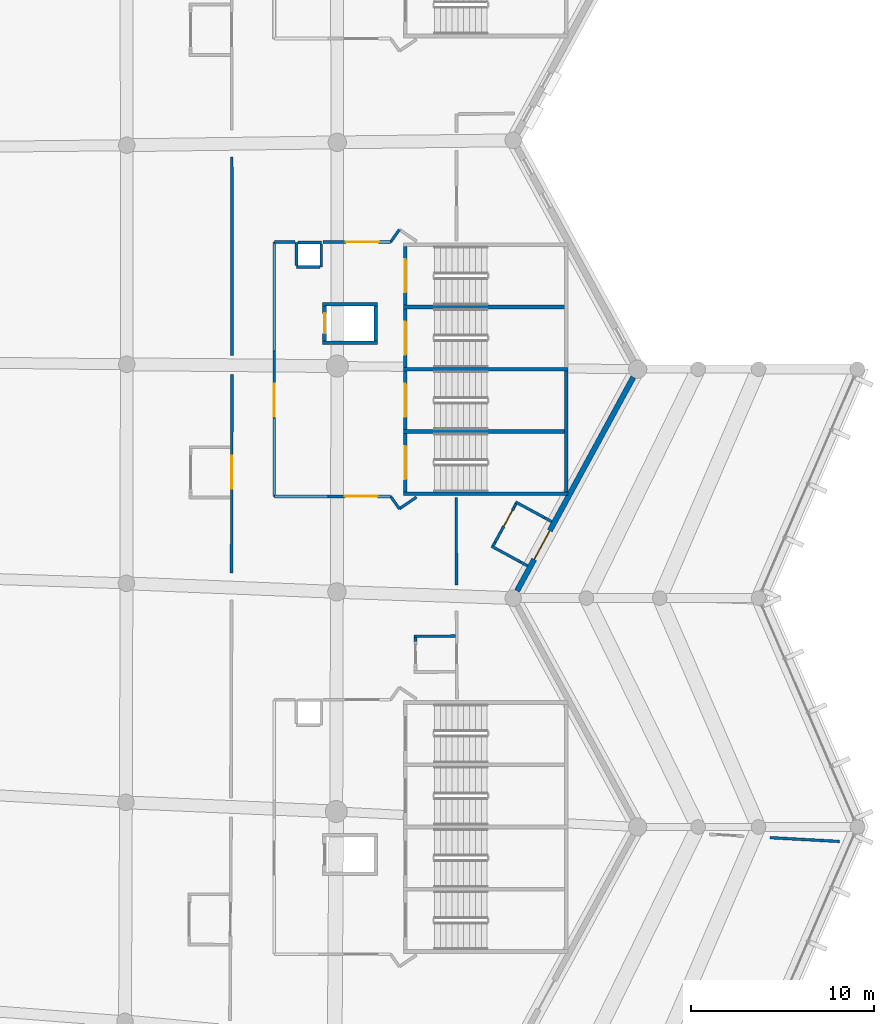
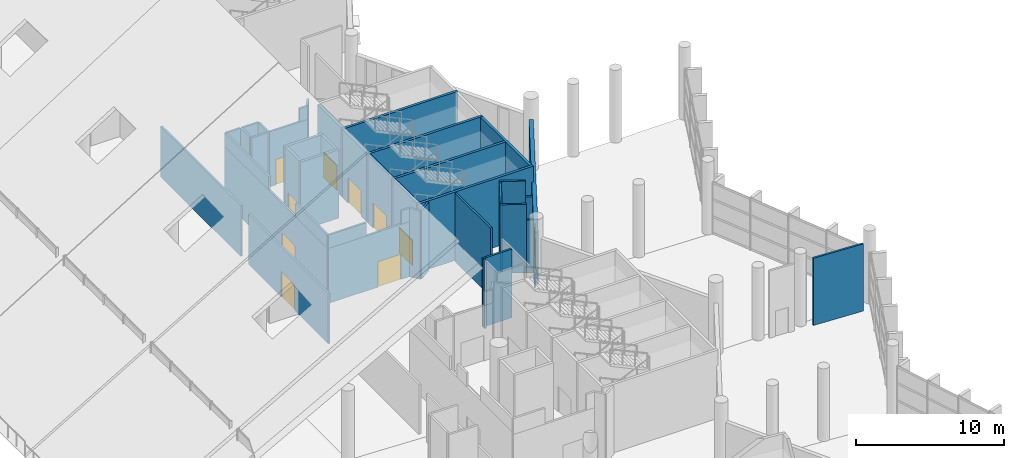
# One storey, part 157 of 249: 43 walls, 11 doors, 11 openings.
"""IFC4 building model written with IfcOpenShell, lengths in metres."""

from ifc_helpers import new_model, si_unit, direction, frame, frame_2d, origin, place, context, subcontext, project, spatial, rectangle, extrude, material, layer, layer_set, type_object, element, fill, save


model = new_model("IFC4")

# Units and contexts
model_context = context("Model", 3, precision=1e-05, world=origin(), true_north=direction((0.0, 1.0)))
body_context = subcontext(model_context, "Body", "Model", "MODEL_VIEW")
ifc_project = project(units=[si_unit("LENGTHUNIT", "METRE"), si_unit("AREAUNIT", "SQUARE_METRE"), si_unit("VOLUMEUNIT", "CUBIC_METRE"), si_unit("PLANEANGLEUNIT", "RADIAN"), si_unit("MASSUNIT", "GRAM", prefix="KILO")], contexts=[model_context])

# Site, building, storey
site_placement = place(None, origin())
site = spatial("IfcSite", under=ifc_project, at=site_placement, CompositionType="ELEMENT")
building_placement = place(site_placement, origin())
building = spatial("IfcBuilding", under=site, at=building_placement, Name="Meseta Stadium", CompositionType="ELEMENT")
storey_placement = place(building_placement, frame((0.0, 0.0, 12.0)))
storey = spatial("IfcBuildingStorey", under=building, at=storey_placement, Name="L02", CompositionType="ELEMENT", Elevation=12.0)

# Walls
ifc_material_1 = material(Name="Concrete C40/50", Category="concrete")
ifc_layer_1 = layer(ifc_material_1, 0.199951171875)
ifc_layer_set_1 = layer_set([ifc_layer_1], Name="Core divider wall 200")
wall_type_1 = type_object("IfcWallType", Name="Core divider wall 200", PredefinedType="SHEAR", material=ifc_layer_set_1)
for number, where, z_axis, x_axis, name in (
    (1, (97.60009765625, -9.64990234375, 0.0), (0.0, 0.0, 1.0), (-1.0, 0.0, 0.0), "Core 03 L02 stair A divider wall"),
    (2, (97.60009765625, -2.85009765625, 0.0), (0.0, 0.0, 1.0), (-1.0, 0.0, 0.0), "Core 03 L02 stair B divider wall"),
):
    element("IfcWall", number, at=place(storey_placement, frame(where, z_axis=z_axis, x_axis=x_axis)), inside=storey, type_object=wall_type_1, Name=name, PredefinedType="SHEAR", context=body_context, shape_type="SweptSolid", body=[
        extrude(rectangle(XDim=9.0, YDim=0.199951171875, at=frame_2d((4.5, 0.0))), origin(), (0.0, 0.0, 1.0), 5.64990234375),
    ])
ifc_material_2 = material(Name="Concrete C40/50", Category="concrete")
ifc_layer_2 = layer(ifc_material_2, 0.199951171875)
ifc_layer_set_2 = layer_set([ifc_layer_2], Name="Core shaft wall 200")
wall_type_2 = type_object("IfcWallType", Name="Core shaft wall 200", PredefinedType="SHEAR", material=ifc_layer_set_2)
for number, where, z_axis, x_axis, name in (
    (3, (97.60009765625, -13.050048828125, 0.0), (0.0, 0.0, 1.0), (-1.0, 0.0, 0.0), "Core 03 L02 stair wall A-side"),
    (4, (97.60009765625, -6.25, 0.0), (0.0, 0.0, 1.0), (-1.0, 0.0, 0.0), "Core 03 L02 stair wall shared"),
):
    element("IfcWall", number, at=place(storey_placement, frame(where, z_axis=z_axis, x_axis=x_axis)), inside=storey, type_object=wall_type_2, Name=name, PredefinedType="SHEAR", context=body_context, shape_type="SweptSolid", body=[
        extrude(rectangle(XDim=9.0, YDim=0.199951171875, at=frame_2d((4.5, 0.0))), origin(), (0.0, 0.0, 1.0), 5.64990234375),
    ])
wall_1_placement = place(storey_placement, frame((97.5, -12.949951171875, 0.0), z_axis=(0.0, 0.0, 1.0), x_axis=(0.0, 1.0, 0.0)))
element("IfcWall", 5, at=wall_1_placement, inside=storey, type_object=wall_type_2, Name="Core 03 L02 stair A outer end wall", PredefinedType="SHEAR", context=body_context, shape_type="SweptSolid", body=[
    extrude(rectangle(XDim=6.599853515625, YDim=0.199951171875, at=frame_2d((3.2998046875, 0.0))), origin(), (0.0, 0.0, 1.0), 5.64990234375),
])

# Wall, opening, door
wall_2_placement = place(storey_placement, frame((88.699951171875, -12.949951171875, 0.0), z_axis=(0.0, 0.0, 1.0), x_axis=(0.0, 1.0, 0.0)))
wall_2 = element("IfcWall", 6, at=wall_2_placement, inside=storey, type_object=wall_type_2, Name="Core 03 L02 stair A1 inner end wall", PredefinedType="SHEAR", context=body_context, shape_type="SweptSolid", body=[
    extrude(rectangle(XDim=3.199951171875, YDim=0.199951171875, at=frame_2d((1.60009765625, 0.0))), origin(), (0.0, 0.0, 1.0), 5.64990234375),
])
opening_1_placement = place(wall_2_placement, frame((0.699951171875, 0.0, 0.0)))
opening_1 = element("IfcOpeningElement", 7, at=opening_1_placement, cuts=wall_2, Name="Opening D1245", PredefinedType="OPENING", context=body_context, shape_type="SweptSolid", body=[
    extrude(rectangle(XDim=1.800048828125, YDim=2.10009765625, at=frame_2d((0.89990234375, 1.050048828125))), frame((0.0, 0.10986328125, 0.0), z_axis=(0.0, -1.0, 0.0), x_axis=(1.0, 0.0, 0.0)), (0.0, 0.0, 1.0), 0.219970703125),
])
ifc_material_3 = material(Name="Steel", Category="steel")
door_type_1 = type_object("IfcDoorType", Name="Stair door 1800x2100", OperationType="DOUBLE_DOOR_SINGLE_SWING", PredefinedType="DOOR", material=ifc_material_3)
door_1_placement = place(opening_1_placement, origin())
door_1 = element("IfcDoor", 8, at=door_1_placement, inside=storey, type_object=door_type_1, Name="Stair A1 door 03 L02", OperationType="DOUBLE_DOOR_SINGLE_SWING", OverallHeight=2.10009765625, OverallWidth=1.800048828125, PredefinedType="DOOR", context=body_context, shape_type="SweptSolid", body=[
    extrude(rectangle(XDim=1.800048828125, YDim=2.10009765625, at=frame_2d((0.89990234375, 1.050048828125))), frame((0.0, 0.02490234375, 0.0), z_axis=(0.0, -1.0, 0.0), x_axis=(1.0, 0.0, 0.0)), (0.0, 0.0, 1.0), 0.050048828125),
])
fill(opening_1, door_1)

wall_3_placement = place(storey_placement, frame((88.699951171875, -9.550048828125, 0.0), z_axis=(0.0, 0.0, 1.0), x_axis=(0.0, 1.0, 0.0)))
wall_3 = element("IfcWall", 9, at=wall_3_placement, inside=storey, type_object=wall_type_2, Name="Core 03 L02 stair A2 inner end wall", PredefinedType="SHEAR", context=body_context, shape_type="SweptSolid", body=[
    extrude(rectangle(XDim=3.199951171875, YDim=0.199951171875, at=frame_2d((1.60009765625, 0.0))), origin(), (0.0, 0.0, 1.0), 5.64990234375),
])
opening_2_placement = place(wall_3_placement, frame((0.699951171875, 0.0, 0.0)))
opening_2 = element("IfcOpeningElement", 10, at=opening_2_placement, cuts=wall_3, Name="Opening D1246", PredefinedType="OPENING", context=body_context, shape_type="SweptSolid", body=[
    extrude(rectangle(XDim=1.800048828125, YDim=2.10009765625, at=frame_2d((0.89990234375, 1.050048828125))), frame((0.0, 0.10986328125, 0.0), z_axis=(0.0, -1.0, 0.0), x_axis=(1.0, 0.0, 0.0)), (0.0, 0.0, 1.0), 0.219970703125),
])
door_2_placement = place(opening_2_placement, origin())
door_2 = element("IfcDoor", 11, at=door_2_placement, inside=storey, type_object=door_type_1, Name="Stair A2 door 03 L02", OperationType="DOUBLE_DOOR_SINGLE_SWING", OverallHeight=2.10009765625, OverallWidth=1.800048828125, PredefinedType="DOOR", context=body_context, shape_type="SweptSolid", body=[
    extrude(rectangle(XDim=1.800048828125, YDim=2.10009765625, at=frame_2d((0.89990234375, 1.050048828125))), frame((0.0, 0.02490234375, 0.0), z_axis=(0.0, -1.0, 0.0), x_axis=(1.0, 0.0, 0.0)), (0.0, 0.0, 1.0), 0.050048828125),
])
fill(opening_2, door_2)

wall_4_placement = place(storey_placement, frame((88.699951171875, -6.14990234375, 0.0), z_axis=(0.0, 0.0, 1.0), x_axis=(0.0, 1.0, 0.0)))
wall_4 = element("IfcWall", 12, at=wall_4_placement, inside=storey, type_object=wall_type_2, Name="Core 03 L02 stair B1 inner end wall", PredefinedType="SHEAR", context=body_context, shape_type="SweptSolid", body=[
    extrude(rectangle(XDim=3.199951171875, YDim=0.199951171875, at=frame_2d((1.60009765625, 0.0))), origin(), (0.0, 0.0, 1.0), 5.64990234375),
])
opening_3_placement = place(wall_4_placement, frame((0.699951171875, 0.0, 0.0)))
opening_3 = element("IfcOpeningElement", 13, at=opening_3_placement, cuts=wall_4, Name="Opening D1247", PredefinedType="OPENING", context=body_context, shape_type="SweptSolid", body=[
    extrude(rectangle(XDim=1.800048828125, YDim=2.10009765625, at=frame_2d((0.89990234375, 1.050048828125))), frame((0.0, 0.10986328125, 0.0), z_axis=(0.0, -1.0, 0.0), x_axis=(1.0, 0.0, 0.0)), (0.0, 0.0, 1.0), 0.219970703125),
])
door_3_placement = place(opening_3_placement, origin())
door_3 = element("IfcDoor", 14, at=door_3_placement, inside=storey, type_object=door_type_1, Name="Stair B1 door 03 L02", OperationType="DOUBLE_DOOR_SINGLE_SWING", OverallHeight=2.10009765625, OverallWidth=1.800048828125, PredefinedType="DOOR", context=body_context, shape_type="SweptSolid", body=[
    extrude(rectangle(XDim=1.800048828125, YDim=2.10009765625, at=frame_2d((0.89990234375, 1.050048828125))), frame((0.0, 0.02490234375, 0.0), z_axis=(0.0, -1.0, 0.0), x_axis=(1.0, 0.0, 0.0)), (0.0, 0.0, 1.0), 0.050048828125),
])
fill(opening_3, door_3)

wall_5_placement = place(storey_placement, frame((88.699951171875, -2.75, 0.0), z_axis=(0.0, 0.0, 1.0), x_axis=(0.0, 1.0, 0.0)))
wall_5 = element("IfcWall", 15, at=wall_5_placement, inside=storey, type_object=wall_type_2, Name="Core 03 L02 stair B2 inner end wall", PredefinedType="SHEAR", context=body_context, shape_type="SweptSolid", body=[
    extrude(rectangle(XDim=3.199951171875, YDim=0.199951171875, at=frame_2d((1.60009765625, 0.0))), origin(), (0.0, 0.0, 1.0), 5.64990234375),
])
opening_4_placement = place(wall_5_placement, frame((0.699951171875, 0.0, 0.0)))
opening_4 = element("IfcOpeningElement", 16, at=opening_4_placement, cuts=wall_5, Name="Opening D1248", PredefinedType="OPENING", context=body_context, shape_type="SweptSolid", body=[
    extrude(rectangle(XDim=1.800048828125, YDim=2.10009765625, at=frame_2d((0.89990234375, 1.050048828125))), frame((0.0, 0.10986328125, 0.0), z_axis=(0.0, -1.0, 0.0), x_axis=(1.0, 0.0, 0.0)), (0.0, 0.0, 1.0), 0.219970703125),
])
door_4_placement = place(opening_4_placement, origin())
door_4 = element("IfcDoor", 17, at=door_4_placement, inside=storey, type_object=door_type_1, Name="Stair B2 door 03 L02", OperationType="DOUBLE_DOOR_SINGLE_SWING", OverallHeight=2.10009765625, OverallWidth=1.800048828125, PredefinedType="DOOR", context=body_context, shape_type="SweptSolid", body=[
    extrude(rectangle(XDim=1.800048828125, YDim=2.10009765625, at=frame_2d((0.89990234375, 1.050048828125))), frame((0.0, 0.02490234375, 0.0), z_axis=(0.0, -1.0, 0.0), x_axis=(1.0, 0.0, 0.0)), (0.0, 0.0, 1.0), 0.050048828125),
])
fill(opening_4, door_4)

# Walls
for number, where, z_axis, x_axis, name in (
    (18, (87.199951171875, -4.800048828125, 0.0), (0.0, 0.0, 1.0), (-1.0, 0.0, 0.0), "Core 03 L02 lift shaft wall left"),
    (19, (87.199951171875, -2.699951171875, 0.0), (0.0, 0.0, 1.0), (-1.0, 0.0, 0.0), "Core 03 L02 lift shaft wall right"),
):
    element("IfcWall", number, at=place(storey_placement, frame(where, z_axis=z_axis, x_axis=x_axis)), inside=storey, type_object=wall_type_2, Name=name, PredefinedType="SHEAR", context=body_context, shape_type="SweptSolid", body=[
        extrude(rectangle(XDim=3.0, YDim=0.199951171875, at=frame_2d((1.5, 0.0))), origin(), (0.0, 0.0, 1.0), 5.64990234375),
    ])
wall_6_placement = place(storey_placement, frame((87.10009765625, -4.699951171875, 0.0), z_axis=(0.0, 0.0, 1.0), x_axis=(0.0, 1.0, 0.0)))
element("IfcWall", 20, at=wall_6_placement, inside=storey, type_object=wall_type_2, Name="Core 03 L02 lift shaft back wall", PredefinedType="SHEAR", context=body_context, shape_type="SweptSolid", body=[
    extrude(rectangle(XDim=1.89990234375, YDim=0.199951171875, at=frame_2d((0.949951171875, 0.0))), origin(), (0.0, 0.0, 1.0), 5.64990234375),
])

# Wall, opening, door
wall_7_placement = place(storey_placement, frame((84.300048828125, -4.699951171875, 0.0), z_axis=(0.0, 0.0, 1.0), x_axis=(0.0, 1.0, 0.0)))
wall_7 = element("IfcWall", 21, at=wall_7_placement, inside=storey, type_object=wall_type_2, Name="Core 03 L02 lift shaft front wall", PredefinedType="SHEAR", context=body_context, shape_type="SweptSolid", body=[
    extrude(rectangle(XDim=1.89990234375, YDim=0.199951171875, at=frame_2d((0.949951171875, 0.0))), origin(), (0.0, 0.0, 1.0), 5.64990234375),
])
opening_5_placement = place(wall_7_placement, frame((0.39990234375, 0.0, 0.0)))
opening_5 = element("IfcOpeningElement", 22, at=opening_5_placement, cuts=wall_7, Name="Opening LD16", PredefinedType="OPENING", context=body_context, shape_type="SweptSolid", body=[
    extrude(rectangle(XDim=1.10009765625, YDim=2.10009765625, at=frame_2d((0.550048828125, 1.050048828125))), frame((0.0, 0.10986328125, 0.0), z_axis=(0.0, -1.0, 0.0), x_axis=(1.0, 0.0, 0.0)), (0.0, 0.0, 1.0), 0.219970703125),
])
ifc_material_4 = material(Name="Steel", Category="steel")
door_type_2 = type_object("IfcDoorType", Name="Lift landing door 1100x2100", OperationType="SLIDING_TO_LEFT", PredefinedType="DOOR", material=ifc_material_4)
door_5_placement = place(opening_5_placement, origin())
door_5 = element("IfcDoor", 23, at=door_5_placement, inside=storey, type_object=door_type_2, Name="Lift landing door LD16", OperationType="SLIDING_TO_RIGHT", OverallHeight=2.10009765625, OverallWidth=1.10009765625, PredefinedType="DOOR", context=body_context, shape_type="SweptSolid", body=[
    extrude(rectangle(XDim=1.10009765625, YDim=2.10009765625, at=frame_2d((0.550048828125, 1.050048828125))), frame((0.0, 0.02490234375, 0.0), z_axis=(0.0, -1.0, 0.0), x_axis=(1.0, 0.0, 0.0)), (0.0, 0.0, 1.0), 0.050048828125),
])
fill(opening_5, door_5)

ifc_material_5 = material(Name="Masonry blockwork", Category="masonry")
ifc_layer_3 = layer(ifc_material_5, 0.14990234375)
ifc_layer_set_3 = layer_set([ifc_layer_3], Name="Partition 150")
wall_type_3 = type_object("IfcWallType", Name="Partition 150", PredefinedType="PARTITIONING", material=ifc_layer_set_3)
wall_8_placement = place(storey_placement, frame((79.24658203125, -6.53662109375, 0.0), z_axis=(0.0, 0.0, 1.0), x_axis=(-0.002276512155, -0.999997408743, 0.0)))
wall_8 = element("IfcWall", 24, at=wall_8_placement, inside=storey, type_object=wall_type_3, Name="Partition L02 L02-cell01-0-0", PredefinedType="PARTITIONING", context=body_context, shape_type="SweptSolid", body=[
    extrude(rectangle(XDim=10.83154296875, YDim=0.14990234375, at=frame_2d((5.415771484375, 0.0))), origin(), (0.0, 0.0, 1.0), 4.123779296875),
])
opening_6_placement = place(wall_8_placement, frame((4.449951171875, 0.0, 0.0)))
opening_6 = element("IfcOpeningElement", 25, at=opening_6_placement, cuts=wall_8, Name="Opening D1205", PredefinedType="OPENING", context=body_context, shape_type="SweptSolid", body=[
    extrude(rectangle(XDim=1.800048828125, YDim=2.10009765625, at=frame_2d((0.89990234375, 1.050048828125))), frame((0.0, 0.0849609375, 0.0), z_axis=(0.0, -1.0, 0.0), x_axis=(1.0, 0.0, 0.0)), (0.0, 0.0, 1.0), 0.169921875),
])
ifc_material_6 = material(Name="Steel", Category="steel")
door_type_3 = type_object("IfcDoorType", Name="Fire double door 1800x2100 EI2 60", OperationType="DOUBLE_DOOR_SINGLE_SWING", PredefinedType="DOOR", material=ifc_material_6)
door_6_placement = place(opening_6_placement, origin())
door_6 = element("IfcDoor", 26, at=door_6_placement, inside=storey, type_object=door_type_3, Name="Room door L02 L02-cell01-0-0", OperationType="DOUBLE_DOOR_SINGLE_SWING", OverallHeight=2.10009765625, OverallWidth=1.800048828125, PredefinedType="DOOR", context=body_context, shape_type="SweptSolid", body=[
    extrude(rectangle(XDim=1.800048828125, YDim=2.10009765625, at=frame_2d((0.89990234375, 1.050048828125))), frame((0.0, 0.02490234375, 0.0), z_axis=(0.0, -1.0, 0.0), x_axis=(1.0, 0.0, 0.0)), (0.0, 0.0, 1.0), 0.050048828125),
])
fill(opening_6, door_6)

# Walls
wall_9_placement = place(storey_placement, frame((91.505615234375, -18.03271484375, 0.0), z_axis=(0.0, 0.0, 1.0), x_axis=(-0.003624274308, 0.999993432296, 0.0)))
element("IfcWall", 27, at=wall_9_placement, inside=storey, type_object=wall_type_3, Name="Partition L02 L02-cell01-2-0", PredefinedType="PARTITIONING", context=body_context, shape_type="SweptSolid", body=[
    extrude(rectangle(XDim=4.78271484375, YDim=0.14990234375, at=frame_2d((2.391357421875, 0.0))), origin(), (0.0, 0.0, 1.0), 5.64990234375),
])
wall_10_placement = place(storey_placement, frame((79.239013671875, 5.33056640625, 0.0), z_axis=(0.0, 0.0, 1.0), x_axis=(0.0007662833, -0.999999706405, 0.0)))
element("IfcWall", 28, at=wall_10_placement, inside=storey, type_object=wall_type_3, Name="Partition L02 L02-cell02-0-0", PredefinedType="PARTITIONING", context=body_context, shape_type="SweptSolid", body=[
    extrude(rectangle(XDim=10.83251953125, YDim=0.14990234375, at=frame_2d((5.416259765625, 0.0))), origin(), (0.0, 0.0, 1.0), 4.19970703125),
])
wall_11_placement = place(storey_placement, frame((108.634521484375, -31.8330078125, 0.0), z_axis=(0.0, 0.0, 1.0), x_axis=(0.998501767782, -0.054719463958, 0.0)))
element("IfcWall", 29, at=wall_11_placement, inside=storey, type_object=wall_type_3, Name="Partition L02 L02-ring00-0", PredefinedType="PARTITIONING", context=body_context, shape_type="SweptSolid", body=[
    extrude(rectangle(XDim=3.80126953125, YDim=0.14990234375, at=frame_2d((1.900634765625, 0.0))), origin(), (0.0, 0.0, 1.0), 5.550048828125),
])
wall_12_placement = place(storey_placement, frame((84.125, -0.675048828125, 0.0), z_axis=(0.0, 0.0, 1.0), x_axis=(0.0, 1.0, 0.0)))
element("IfcWall", 30, at=wall_12_placement, inside=storey, type_object=wall_type_3, Name="Pressurisation shaft wall L02 core 03", PredefinedType="PARTITIONING", context=body_context, shape_type="SweptSolid", body=[
    extrude(rectangle(XDim=1.275146484375, YDim=0.14990234375, at=frame_2d((0.6376953125, 0.0))), origin(), (0.0, 0.0, 1.0), 5.64990234375),
])
wall_13_placement = place(storey_placement, frame((84.125, 0.675048828125, 0.0), z_axis=(0.0, 0.0, 1.0), x_axis=(-1.0, 0.0, 0.0)))
element("IfcWall", 31, at=wall_13_placement, inside=storey, type_object=wall_type_3, Name="Pressurisation shaft wall L02 core 03", PredefinedType="PARTITIONING", context=body_context, shape_type="SweptSolid", body=[
    extrude(rectangle(XDim=1.27490234375, YDim=0.14990234375, at=frame_2d((0.637451171875, 0.0))), origin(), (0.0, 0.0, 1.0), 5.64990234375),
])
for number, where, z_axis, x_axis, name in (
    (32, (82.77490234375, 0.675048828125, 0.0), (0.0, 0.0, 1.0), (0.0, -1.0, 0.0), "Pressurisation shaft wall L02 core 03"),
    (33, (82.77490234375, -0.675048828125, 0.0), (0.0, 0.0, 1.0), (1.0, 0.0, 0.0), "Pressurisation shaft wall L02 core 03"),
):
    element("IfcWall", number, at=place(storey_placement, frame(where, z_axis=z_axis, x_axis=x_axis)), inside=storey, type_object=wall_type_3, Name=name, PredefinedType="PARTITIONING", context=body_context, shape_type="SweptSolid", body=[
        extrude(rectangle(XDim=1.275146484375, YDim=0.14990234375, at=frame_2d((0.6376953125, 0.0))), origin(), (0.0, 0.0, 1.0), 5.64990234375),
    ])
wall_14_placement = place(storey_placement, frame((82.68994140625, 0.695068359375, 0.0), z_axis=(0.0, 0.0, 1.0), x_axis=(-1.0, 0.0, 0.0)))
element("IfcWall", 34, at=wall_14_placement, inside=storey, type_object=wall_type_3, Name="Stair vestibule wall L02 core 03", PredefinedType="PARTITIONING", context=body_context, shape_type="SweptSolid", body=[
    extrude(rectangle(XDim=1.135009765625, YDim=0.14990234375, at=frame_2d((0.5673828125, 0.0))), origin(), (0.0, 0.0, 1.0), 5.64990234375),
])

# Wall, opening, door
wall_15_placement = place(storey_placement, frame((81.554931640625, 0.695068359375, 0.0), z_axis=(0.0, 0.0, 1.0), x_axis=(0.0, -1.0, 0.0)))
wall_15 = element("IfcWall", 35, at=wall_15_placement, inside=storey, type_object=wall_type_3, Name="Stair vestibule wall L02 core 03", PredefinedType="PARTITIONING", context=body_context, shape_type="SweptSolid", body=[
    extrude(rectangle(XDim=13.89013671875, YDim=0.14990234375, at=frame_2d((6.945068359375, 0.0))), origin(), (0.0, 0.0, 1.0), 4.550048828125),
])
opening_7_placement = place(wall_15_placement, frame((7.75, 0.0, 0.0)))
opening_7 = element("IfcOpeningElement", 36, at=opening_7_placement, cuts=wall_15, Name="Opening D1213", PredefinedType="OPENING", context=body_context, shape_type="SweptSolid", body=[
    extrude(rectangle(XDim=1.800048828125, YDim=2.10009765625, at=frame_2d((0.89990234375, 1.050048828125))), frame((0.0, 0.0849609375, 0.0), z_axis=(0.0, -1.0, 0.0), x_axis=(1.0, 0.0, 0.0)), (0.0, 0.0, 1.0), 0.169921875),
])
door_7_placement = place(opening_7_placement, origin())
door_7 = element("IfcDoor", 37, at=door_7_placement, inside=storey, type_object=door_type_3, Name="Stair vestibule door L02 core 03", OperationType="DOUBLE_DOOR_SINGLE_SWING", OverallHeight=2.10009765625, OverallWidth=1.800048828125, PredefinedType="DOOR", context=body_context, shape_type="SweptSolid", body=[
    extrude(rectangle(XDim=1.800048828125, YDim=2.10009765625, at=frame_2d((0.89990234375, 1.050048828125))), frame((0.0, 0.02490234375, 0.0), z_axis=(0.0, -1.0, 0.0), x_axis=(1.0, 0.0, 0.0)), (0.0, 0.0, 1.0), 0.050048828125),
])
fill(opening_7, door_7)

# Walls
wall_16_placement = place(storey_placement, frame((81.554931640625, 0.695068359375, 4.550048828125), z_axis=(0.0, 0.0, 1.0), x_axis=(0.0, -1.0, 0.0)))
element("IfcWall", 38, at=wall_16_placement, inside=storey, type_object=wall_type_3, Name="Stair vestibule wall L02 core 03", PredefinedType="PARTITIONING", context=body_context, shape_type="SweptSolid", body=[
    extrude(rectangle(XDim=5.952880859375, YDim=0.14990234375, at=frame_2d((2.9765625, 0.0))), origin(), (0.0, 0.0, 1.0), 1.099853515625),
])
wall_17_placement = place(storey_placement, frame((81.554931640625, -8.905029296875, 4.550048828125), z_axis=(0.0, 0.0, 1.0), x_axis=(0.0, -1.0, 0.0)))
element("IfcWall", 39, at=wall_17_placement, inside=storey, type_object=wall_type_3, Name="Stair vestibule wall L02 core 03", PredefinedType="PARTITIONING", context=body_context, shape_type="SweptSolid", body=[
    extrude(rectangle(XDim=4.2900390625, YDim=0.14990234375, at=frame_2d((2.14501953125, 0.0))), origin(), (0.0, 0.0, 1.0), 1.099853515625),
])

# Wall, opening, door
wall_18_placement = place(storey_placement, frame((81.554931640625, -13.195068359375, 0.0), z_axis=(0.0, 0.0, 1.0), x_axis=(0.999999999262, -3.8421639e-05, 0.0)))
wall_18 = element("IfcWall", 40, at=wall_18_placement, inside=storey, type_object=wall_type_3, Name="Stair vestibule wall L02 core 03", PredefinedType="PARTITIONING", context=body_context, shape_type="SweptSolid", body=[
    extrude(rectangle(XDim=6.354248046875, YDim=0.14990234375, at=frame_2d((3.17724609375, 0.0))), origin(), (0.0, 0.0, 1.0), 4.550048828125),
])
opening_8_placement = place(wall_18_placement, frame((3.85009765625, 0.0, 0.0)))
opening_8 = element("IfcOpeningElement", 41, at=opening_8_placement, cuts=wall_18, Name="Opening D1227", PredefinedType="OPENING", context=body_context, shape_type="SweptSolid", body=[
    extrude(rectangle(XDim=1.800048828125, YDim=2.10009765625, at=frame_2d((0.89990234375, 1.050048828125))), frame((0.0, 0.0849609375, 0.0), z_axis=(0.0, -1.0, 0.0), x_axis=(1.0, 0.0, 0.0)), (0.0, 0.0, 1.0), 0.169921875),
])
door_8_placement = place(opening_8_placement, origin())
door_8 = element("IfcDoor", 42, at=door_8_placement, inside=storey, type_object=door_type_3, Name="Stair vestibule door L02 core 03", OperationType="DOUBLE_DOOR_SINGLE_SWING", OverallHeight=2.10009765625, OverallWidth=1.800048828125, PredefinedType="DOOR", context=body_context, shape_type="SweptSolid", body=[
    extrude(rectangle(XDim=1.800048828125, YDim=2.10009765625, at=frame_2d((0.89990234375, 1.050048828125))), frame((0.0, 0.02490234375, 0.0), z_axis=(0.0, -1.0, 0.0), x_axis=(1.0, 0.0, 0.0)), (0.0, 0.0, 1.0), 0.050048828125),
])
fill(opening_8, door_8)

# Walls
wall_19_placement = place(storey_placement, frame((81.554931640625, -13.195068359375, 4.550048828125), z_axis=(0.0, 0.0, 1.0), x_axis=(1.0, 0.0, 0.0)))
element("IfcWall", 43, at=wall_19_placement, inside=storey, type_object=wall_type_3, Name="Stair vestibule wall L02 core 03", PredefinedType="PARTITIONING", context=body_context, shape_type="SweptSolid", body=[
    extrude(rectangle(XDim=2.932861328125, YDim=0.14990234375, at=frame_2d((1.46630859375, 0.0))), origin(), (0.0, 0.0, 1.0), 1.099853515625),
])
wall_20_placement = place(storey_placement, frame((87.2548828125, -13.1953125, 4.550048828125), z_axis=(0.0, 0.0, 1.0), x_axis=(1.0, 0.0, 0.0)))
element("IfcWall", 44, at=wall_20_placement, inside=storey, type_object=wall_type_3, Name="Stair vestibule wall L02 core 03", PredefinedType="PARTITIONING", context=body_context, shape_type="SweptSolid", body=[
    extrude(rectangle(XDim=0.654296875, YDim=0.14990234375, at=frame_2d((0.3271484375, 0.0))), origin(), (0.0, 0.0, 1.0), 1.099853515625),
])
wall_21_placement = place(storey_placement, frame((87.9091796875, -13.1953125, 0.0), z_axis=(0.0, 0.0, 1.0), x_axis=(0.576359888906, -0.817195985342, 0.0)))
element("IfcWall", 45, at=wall_21_placement, inside=storey, type_object=wall_type_3, Name="Stair vestibule wall L02 core 03", PredefinedType="PARTITIONING", context=body_context, shape_type="SweptSolid", body=[
    extrude(rectangle(XDim=0.830322265625, YDim=0.14990234375, at=frame_2d((0.4150390625, 0.0))), origin(), (0.0, 0.0, 1.0), 5.64990234375),
])
wall_22_placement = place(storey_placement, frame((88.3876953125, -13.873779296875, 0.0), z_axis=(0.0, 0.0, 1.0), x_axis=(0.826749248939, 0.562570599462, 0.0)))
element("IfcWall", 46, at=wall_22_placement, inside=storey, type_object=wall_type_3, Name="Stair vestibule wall L02 core 03", PredefinedType="PARTITIONING", context=body_context, shape_type="SweptSolid", body=[
    extrude(rectangle(XDim=1.12744140625, YDim=0.14990234375, at=frame_2d((0.563720703125, 0.0))), origin(), (0.0, 0.0, 1.0), 5.64990234375),
])
wall_23_placement = place(storey_placement, frame((88.3876953125, 1.373779296875, 0.0), z_axis=(0.0, 0.0, 1.0), x_axis=(-0.5761634622, -0.817334487726, 0.0)))
element("IfcWall", 47, at=wall_23_placement, inside=storey, type_object=wall_type_3, Name="Stair vestibule wall L02 core 03", PredefinedType="PARTITIONING", context=body_context, shape_type="SweptSolid", body=[
    extrude(rectangle(XDim=0.830078125, YDim=0.14990234375, at=frame_2d((0.4150390625, 0.0))), origin(), (0.0, 0.0, 1.0), 5.64990234375),
])

# Wall, opening, door
wall_24_placement = place(storey_placement, frame((87.909423828125, 0.6953125, 0.0), z_axis=(0.0, 0.0, 1.0), x_axis=(-0.999999997827, -6.5919578e-05, 0.0)))
wall_24 = element("IfcWall", 48, at=wall_24_placement, inside=storey, type_object=wall_type_3, Name="Stair vestibule wall L02 core 03", PredefinedType="PARTITIONING", context=body_context, shape_type="SweptSolid", body=[
    extrude(rectangle(XDim=3.70361328125, YDim=0.14990234375, at=frame_2d((1.851806640625, 0.0))), origin(), (0.0, 0.0, 1.0), 4.550048828125),
])
opening_9_placement = place(wall_24_placement, frame((0.64990234375, 0.0, 0.0)))
opening_9 = element("IfcOpeningElement", 49, at=opening_9_placement, cuts=wall_24, Name="Opening D1230", PredefinedType="OPENING", context=body_context, shape_type="SweptSolid", body=[
    extrude(rectangle(XDim=1.800048828125, YDim=2.10009765625, at=frame_2d((0.89990234375, 1.050048828125))), frame((0.0, 0.0849609375, 0.0), z_axis=(0.0, -1.0, 0.0), x_axis=(1.0, 0.0, 0.0)), (0.0, 0.0, 1.0), 0.169921875),
])
door_9_placement = place(opening_9_placement, origin())
door_9 = element("IfcDoor", 50, at=door_9_placement, inside=storey, type_object=door_type_3, Name="Stair vestibule door L02 core 03", OperationType="DOUBLE_DOOR_SINGLE_SWING", OverallHeight=2.10009765625, OverallWidth=1.800048828125, PredefinedType="DOOR", context=body_context, shape_type="SweptSolid", body=[
    extrude(rectangle(XDim=1.800048828125, YDim=2.10009765625, at=frame_2d((0.89990234375, 1.050048828125))), frame((0.0, 0.02490234375, 0.0), z_axis=(0.0, -1.0, 0.0), x_axis=(1.0, 0.0, 0.0)), (0.0, 0.0, 1.0), 0.050048828125),
])
fill(opening_9, door_9)

# Walls
wall_25_placement = place(storey_placement, frame((87.909423828125, 0.6953125, 4.550048828125), z_axis=(0.0, 0.0, 1.0), x_axis=(-1.0, 0.0, 0.0)))
element("IfcWall", 51, at=wall_25_placement, inside=storey, type_object=wall_type_3, Name="Stair vestibule wall L02 core 03", PredefinedType="PARTITIONING", context=body_context, shape_type="SweptSolid", body=[
    extrude(rectangle(XDim=0.599853515625, YDim=0.14990234375, at=frame_2d((0.2998046875, 0.0))), origin(), (0.0, 0.0, 1.0), 1.099853515625),
])
wall_26_placement = place(storey_placement, frame((91.44091796875, -20.8251953125, 0.0), z_axis=(0.0, 0.0, 1.0), x_axis=(-0.999993194838, -0.003689211005, 0.0)))
element("IfcWall", 52, at=wall_26_placement, inside=storey, type_object=wall_type_3, Name="Partition L02 L02-cell01-2-0 vestibule", PredefinedType="PARTITIONING", context=body_context, shape_type="SweptSolid", body=[
    extrude(rectangle(XDim=2.25, YDim=0.14990234375, at=frame_2d((1.125, 0.0))), origin(), (0.0, 0.0, 1.0), 5.64990234375),
])
wall_27_placement = place(storey_placement, frame((89.26708984375, -21.1083984375, 0.0), z_axis=(0.0, 0.0, 1.0), x_axis=(-0.003658512101, 0.999993307622, 0.0)))
element("IfcWall", 53, at=wall_27_placement, inside=storey, type_object=wall_type_3, Name="Partition L02 L02-cell01-2-0 vestibule", PredefinedType="PARTITIONING", context=body_context, shape_type="SweptSolid", body=[
    extrude(rectangle(XDim=0.2001953125, YDim=0.14990234375, at=frame_2d((0.10009765625, 0.0))), origin(), (0.0, 0.0, 1.0), 5.64990234375),
])
wall_28_placement = place(storey_placement, frame((96.7021484375, -14.57177734375, 0.0), z_axis=(0.0, 0.0, 1.0), x_axis=(-0.878372019733, 0.477977609256, 0.0)))
element("IfcWall", 54, at=wall_28_placement, inside=storey, type_object=wall_type_3, Name="Partition L02 L02-cell01-2-0 vestibule", PredefinedType="PARTITIONING", context=body_context, shape_type="SweptSolid", body=[
    extrude(rectangle(XDim=0.449951171875, YDim=0.14990234375, at=frame_2d((0.22509765625, 0.0))), origin(), (0.0, 0.0, 1.0), 4.35009765625),
])
wall_29_placement = place(storey_placement, frame((96.306884765625, -14.356689453125, 0.0), z_axis=(0.0, 0.0, 1.0), x_axis=(-0.878428962466, 0.477872951632, 0.0)))
element("IfcWall", 55, at=wall_29_placement, inside=storey, type_object=wall_type_3, Name="Partition L02 L02-cell01-2-0 vestibule", PredefinedType="PARTITIONING", context=body_context, shape_type="SweptSolid", body=[
    extrude(rectangle(XDim=1.7998046875, YDim=0.14990234375, at=frame_2d((0.89990234375, 0.0))), origin(), (0.0, 0.0, 1.0), 5.64990234375),
])
wall_30_placement = place(storey_placement, frame((95.38818359375, -16.9873046875, 0.0), z_axis=(0.0, 0.0, 1.0), x_axis=(-0.878372019733, 0.477977609256, 0.0)))
element("IfcWall", 56, at=wall_30_placement, inside=storey, type_object=wall_type_3, Name="Partition L02 L02-cell01-2-0 vestibule", PredefinedType="PARTITIONING", context=body_context, shape_type="SweptSolid", body=[
    extrude(rectangle(XDim=0.449951171875, YDim=0.14990234375, at=frame_2d((0.22509765625, 0.0))), origin(), (0.0, 0.0, 1.0), 4.35009765625),
])
wall_31_placement = place(storey_placement, frame((94.992919921875, -16.772216796875, 0.0), z_axis=(0.0, 0.0, 1.0), x_axis=(-0.878459932885, 0.477816017223, 0.0)))
element("IfcWall", 57, at=wall_31_placement, inside=storey, type_object=wall_type_3, Name="Partition L02 L02-cell01-2-0 vestibule", PredefinedType="PARTITIONING", context=body_context, shape_type="SweptSolid", body=[
    extrude(rectangle(XDim=1.800048828125, YDim=0.14990234375, at=frame_2d((0.89990234375, 0.0))), origin(), (0.0, 0.0, 1.0), 5.64990234375),
])
wall_32_placement = place(storey_placement, frame((94.755859375, -13.59814453125, 0.0), z_axis=(0.0, 0.0, 1.0), x_axis=(-0.478168266369, -0.878268244352, 0.0)))
element("IfcWall", 58, at=wall_32_placement, inside=storey, type_object=wall_type_3, Name="Partition L02 L02-cell01-2-0 vestibule", PredefinedType="PARTITIONING", context=body_context, shape_type="SweptSolid", body=[
    extrude(rectangle(XDim=0.2001953125, YDim=0.14990234375, at=frame_2d((0.10009765625, 0.0))), origin(), (0.0, 0.0, 1.0), 5.64990234375),
])

# Wall, opening, door
wall_33_placement = place(storey_placement, frame((94.66015625, -13.77392578125, 0.0), z_axis=(0.0, 0.0, 1.0), x_axis=(-0.477887643273, -0.878420969927, 0.0)))
wall_33 = element("IfcWall", 59, at=wall_33_placement, inside=storey, type_object=wall_type_3, Name="Partition L02 L02-cell01-2-0 vestibule", PredefinedType="PARTITIONING", context=body_context, shape_type="SweptSolid", body=[
    extrude(rectangle(XDim=2.19970703125, YDim=0.14990234375, at=frame_2d((1.099853515625, 0.0))), origin(), (0.0, 0.0, 1.0), 5.64990234375),
])
opening_10_placement = place(wall_33_placement, frame((0.199951171875, 0.0, 0.0)))
opening_10 = element("IfcOpeningElement", 60, at=opening_10_placement, cuts=wall_33, Name="Opening D1258", PredefinedType="OPENING", context=body_context, shape_type="SweptSolid", body=[
    extrude(rectangle(XDim=1.0, YDim=2.10009765625, at=frame_2d((0.5, 1.050048828125))), frame((0.0, 0.0849609375, 0.0), z_axis=(0.0, -1.0, 0.0), x_axis=(1.0, 0.0, 0.0)), (0.0, 0.0, 1.0), 0.169921875),
])
ifc_material_7 = material(Name="Steel", Category="steel")
door_type_4 = type_object("IfcDoorType", Name="Fire door 1000x2100 EI2 60", OperationType="NOTDEFINED", PredefinedType="DOOR", material=ifc_material_7)
door_10_placement = place(opening_10_placement, origin())
door_10 = element("IfcDoor", 61, at=door_10_placement, inside=storey, type_object=door_type_4, Name="Vestibule door L02 L02-cell01-2-0", OperationType="SINGLE_SWING_LEFT", OverallHeight=2.10009765625, OverallWidth=1.0, PredefinedType="DOOR", context=body_context, shape_type="SweptSolid", body=[
    extrude(rectangle(XDim=1.0, YDim=2.10009765625, at=frame_2d((0.5, 1.050048828125))), frame((0.0, 0.02490234375, 0.0), z_axis=(0.0, -1.0, 0.0), x_axis=(1.0, 0.0, 0.0)), (0.0, 0.0, 1.0), 0.050048828125),
])
fill(opening_10, door_10)

# Wall
wall_34_placement = place(storey_placement, frame((93.60888671875, -15.706298828125, 0.0), z_axis=(0.0, 0.0, 1.0), x_axis=(-0.477226530971, -0.878780312785, 0.0)))
element("IfcWall", 62, at=wall_34_placement, inside=storey, type_object=wall_type_3, Name="Partition L02 L02-cell01-2-0 vestibule", PredefinedType="PARTITIONING", context=body_context, shape_type="SweptSolid", body=[
    extrude(rectangle(XDim=0.199951171875, YDim=0.14990234375, at=frame_2d((0.10009765625, 0.0))), origin(), (0.0, 0.0, 1.0), 5.64990234375),
])

# Wall, opening, door
ifc_material_8 = material(Name="White precast concrete C40/50", Category="concrete")
ifc_layer_4 = layer(ifc_material_8, 0.300048828125)
ifc_layer_set_4 = layer_set([ifc_layer_4], Name="Pleated panel wall 300 concourse")
wall_type_4 = type_object("IfcWallType", Name="Pleated panel wall 300 concourse", PredefinedType="SOLIDWALL", material=ifc_layer_set_4)
wall_35_placement = place(storey_placement, frame((101.1611328125, -6.68896484375, 0.0), z_axis=(0.0, 0.0, 1.0), x_axis=(-0.477867771117, -0.878431780691, 0.0)))
wall_35 = element("IfcWall", 63, at=wall_35_placement, inside=storey, type_object=wall_type_4, Name="Pleated facade panel L02 F03", PredefinedType="SOLIDWALL", context=body_context, shape_type="SweptSolid", body=[
    extrude(rectangle(XDim=13.2802734375, YDim=0.300048828125, at=frame_2d((6.64013671875, 0.0))), origin(), (0.0, 0.0, 1.0), 4.35009765625),
])
opening_11_placement = place(wall_35_placement, frame((9.530029296875, 0.0, 0.0)))
opening_11 = element("IfcOpeningElement", 64, at=opening_11_placement, cuts=wall_35, Name="Opening D1261", PredefinedType="OPENING", context=body_context, shape_type="SweptSolid", body=[
    extrude(rectangle(XDim=1.800048828125, YDim=2.39990234375, at=frame_2d((0.89990234375, 1.199951171875))), frame((0.0, 0.159912109375, 0.0), z_axis=(0.0, -1.0, 0.0), x_axis=(1.0, 0.0, 0.0)), (0.0, 0.0, 1.0), 0.320068359375),
])
ifc_material_9 = material(Name="Steel", Category="steel")
door_type_5 = type_object("IfcDoorType", Name="Fire double door 1800x2400 EI2 60", OperationType="DOUBLE_DOOR_SINGLE_SWING", PredefinedType="DOOR", material=ifc_material_9)
door_11_placement = place(opening_11_placement, origin())
door_11 = element("IfcDoor", 65, at=door_11_placement, inside=storey, type_object=door_type_5, Name="Concourse door", OperationType="DOUBLE_DOOR_SINGLE_SWING", OverallHeight=2.39990234375, OverallWidth=1.800048828125, PredefinedType="DOOR", context=body_context, shape_type="SweptSolid", body=[
    extrude(rectangle(XDim=1.800048828125, YDim=2.39990234375, at=frame_2d((0.89990234375, 1.199951171875))), frame((0.0, 0.02490234375, 0.0), z_axis=(0.0, -1.0, 0.0), x_axis=(1.0, 0.0, 0.0)), (0.0, 0.0, 1.0), 0.050048828125),
])
fill(opening_11, door_11)

save(model, "model.ifc")
